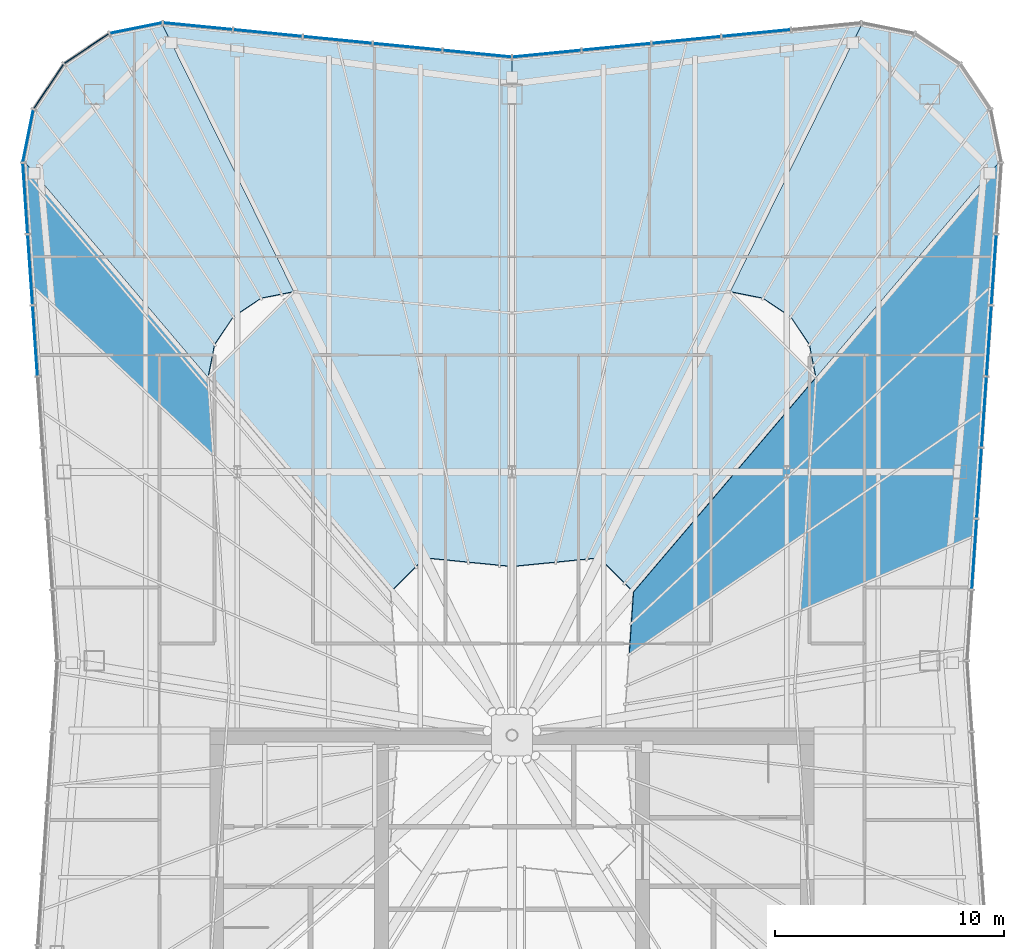
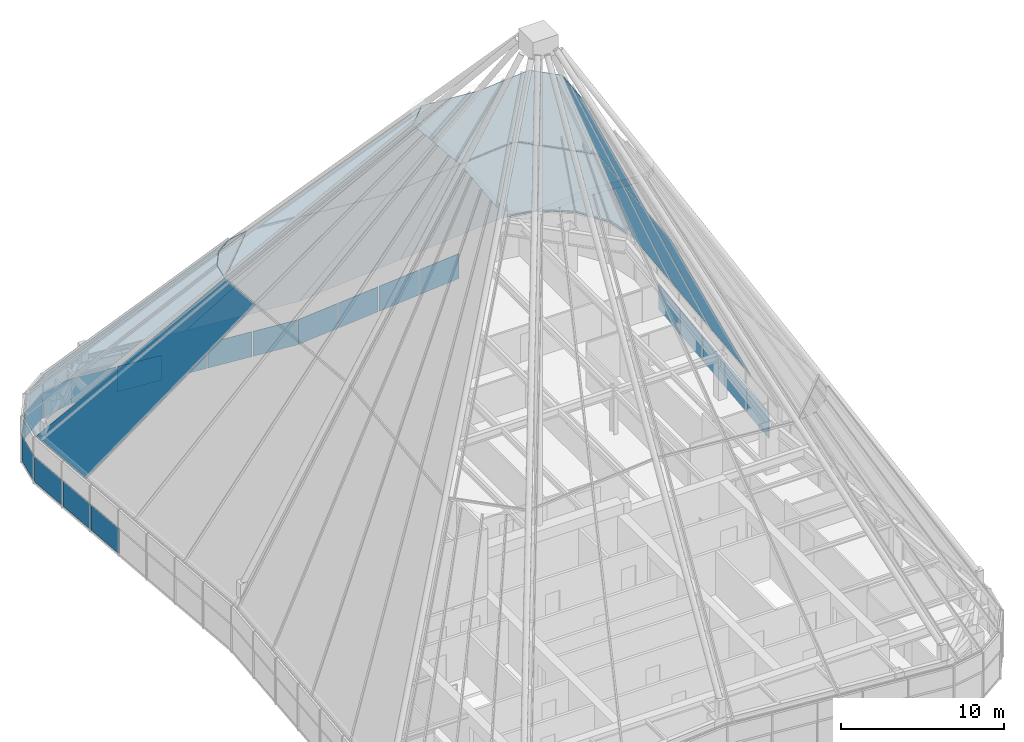
# One storey, part 21 of 28: 45 plates, 28 elements without a shape of their own.
"""IFC4 building model written with IfcOpenShell, lengths in metres."""

from ifc_helpers import new_model, si_unit, direction, frame, origin, origin_2d, place, context, subcontext, project, spatial, polyline, rectangle, outline, extrude, material, layer, layer_set, type_object, element, aggregate, save


model = new_model("IFC4")

# Units and contexts
model_context = context("Model", 3, precision=1e-05, world=origin(), true_north=direction((0.0, 1.0)))
body_context = subcontext(model_context, "Body", "Model", "MODEL_VIEW")
ifc_project = project(units=[si_unit("LENGTHUNIT", "METRE"), si_unit("AREAUNIT", "SQUARE_METRE"), si_unit("VOLUMEUNIT", "CUBIC_METRE"), si_unit("PLANEANGLEUNIT", "RADIAN"), si_unit("MASSUNIT", "GRAM", prefix="KILO")], contexts=[model_context])

# Site, building, storey
site_placement = place(None, origin())
site = spatial("IfcSite", under=ifc_project, at=site_placement, CompositionType="ELEMENT")
building_placement = place(site_placement, origin())
building = spatial("IfcBuilding", under=site, at=building_placement, Name="Verdant Reach Tower", CompositionType="ELEMENT")
storey_placement = place(building_placement, frame((0.0, 0.0, 368.0)))
storey = spatial("IfcBuildingStorey", under=building, at=storey_placement, Name="L83 Crown plant", CompositionType="ELEMENT", Elevation=368.0)

# Curtain wall, plate
ifc_material_1 = material(Name="Anodised aluminium", Category="aluminium")
curtain_wall_type_1 = type_object("IfcCurtainWallType", Name="EN-CW SYSTEM CROWN APEX", PredefinedType="NOTDEFINED", material=ifc_material_1)
curtain_wall_1_placement = place(storey_placement, origin())
curtain_wall_1 = element("IfcCurtainWall", 1, at=curtain_wall_1_placement, inside=storey, type_object=curtain_wall_type_1, Name="Crown glazing unit east face part 2 2, level 01", PredefinedType="NOTDEFINED")
ifc_material_2 = material(Name="Tinted glass", Category="glass")
ifc_layer_1 = layer(ifc_material_2, 0.030029296875)
ifc_layer_set_1 = layer_set([ifc_layer_1], Name="EN-PANEL CROWN TINTED")
plate_type_1 = type_object("IfcPlateType", Name="EN-PANEL CROWN TINTED", PredefinedType="CURTAIN_PANEL", material=ifc_layer_set_1)
plate_1_placement = place(storey_placement, frame((20.125, 46.6875, 3.14990234375), z_axis=(0.894449461564, -0.061686169763, 0.442893866709), x_axis=(0.068802091615, 0.997630328423, 0.0)))
plate_1 = element("IfcPlate", 2, at=plate_1_placement, type_object=plate_type_1, Name="Crown glass facet east face part 2 2, level 01", PredefinedType="CURTAIN_PANEL", context=body_context, shape_type="SweptSolid", body=[
    extrude(outline(polyline([(0.0, 0.0), (5.450415695155737, 2.7755575615628914e-17), (-0.36282353000297063, 16.493448249830344), (-3.7693333394753066, 16.493448249830344), (0.0, 0.0)])), origin(), (0.0, 0.0, -1.0), 0.030029296875),
])
aggregate(curtain_wall_1, [plate_1])

curtain_wall_2_placement = place(storey_placement, origin())
curtain_wall_2 = element("IfcCurtainWall", 3, at=curtain_wall_2_placement, inside=storey, type_object=curtain_wall_type_1, Name="Crown glazing unit east face part 2 3, level 01", PredefinedType="NOTDEFINED")
plate_2_placement = place(storey_placement, frame((20.5, 52.125, 3.14990234375), z_axis=(0.894449461564, -0.061686169763, 0.442893866709), x_axis=(0.068802091615, 0.997630328423, 0.0)))
plate_2 = element("IfcPlate", 4, at=plate_2_placement, type_object=plate_type_1, Name="Crown glass facet east face part 2 3, level 01", PredefinedType="CURTAIN_PANEL", context=body_context, shape_type="SweptSolid", body=[
    extrude(outline(polyline([(0.0, 0.0), (5.450415695155737, 2.7755575615628914e-17), (-2.4067294156863723, 16.493448249830344), (-5.813239225158709, 16.493448249830344), (0.0, 0.0)])), origin(), (0.0, 0.0, -1.0), 0.030029296875),
])
aggregate(curtain_wall_2, [plate_2])

curtain_wall_3_placement = place(storey_placement, origin())
curtain_wall_3 = element("IfcCurtainWall", 5, at=curtain_wall_3_placement, inside=storey, type_object=curtain_wall_type_1, Name="Crown glazing unit east face part 2 4, level 01", PredefinedType="NOTDEFINED")
plate_3_placement = place(storey_placement, frame((20.875, 57.5625, 3.14990234375), z_axis=(0.894449461564, -0.061686169763, 0.442893866709), x_axis=(0.068802091615, 0.997630328423, 0.0)))
plate_3 = element("IfcPlate", 6, at=plate_3_placement, type_object=plate_type_1, Name="Crown glass facet east face part 2 4, level 01", PredefinedType="CURTAIN_PANEL", context=body_context, shape_type="SweptSolid", body=[
    extrude(outline(polyline([(0.0, 0.0), (5.450415695155737, 2.7755575615628914e-17), (-4.450635301369774, 16.493448249830344), (-7.85714511084211, 16.493448249830344), (0.0, 0.0)])), origin(), (0.0, 0.0, -1.0), 0.030029296875),
])
aggregate(curtain_wall_3, [plate_3])

curtain_wall_4_placement = place(storey_placement, origin())
curtain_wall_4 = element("IfcCurtainWall", 7, at=curtain_wall_4_placement, inside=storey, type_object=curtain_wall_type_1, Name="Crown glazing unit north-east corner 1, level 01", PredefinedType="NOTDEFINED")
plate_4_placement = place(storey_placement, frame((21.25, 63.0, 3.14990234375), z_axis=(0.82150376001, 0.163408455829, 0.546286782609), x_axis=(-0.195098148355, 0.980783723563, 1.0083852e-05)))
plate_4 = element("IfcPlate", 8, at=plate_4_placement, type_object=plate_type_1, Name="Crown glass facet north-east corner 1, level 01", PredefinedType="CURTAIN_PANEL", context=body_context, shape_type="SweptSolid", body=[
    extrude(outline(polyline([(0.0, 0.0), (2.3411375868372555, -2.7755575615628914e-17), (-6.176846723888611, 17.654837218123966), (-7.640009922749035, 17.654883018135784), (0.0, 0.0)])), origin(), (0.0, 0.0, -1.0), 0.030029296875),
])
aggregate(curtain_wall_4, [plate_4])

curtain_wall_5_placement = place(storey_placement, origin())
curtain_wall_5 = element("IfcCurtainWall", 9, at=curtain_wall_5_placement, inside=storey, type_object=curtain_wall_type_1, Name="Crown glazing unit north-east corner 2, level 01", PredefinedType="NOTDEFINED")
plate_5_placement = place(storey_placement, frame((20.793212890625, 65.296142578125, 3.14990234375), z_axis=(0.642000510907, 0.428974870556, 0.635465108741), x_axis=(-0.555560980028, 0.831475794672, -1.8550777e-05)))
plate_5 = element("IfcPlate", 10, at=plate_5_placement, type_object=plate_type_1, Name="Crown glass facet north-east corner 2, level 01", PredefinedType="CURTAIN_PANEL", context=body_context, shape_type="SweptSolid", body=[
    extrude(outline(polyline([(0.0, 0.0), (2.3410229129718436, 1.1102230246251565e-16), (-2.7162208826397563, 19.151639265593303), (-4.179419600497692, 19.151547867376152), (0.0, 0.0)])), origin(), (0.0, 0.0, -1.0), 0.030029296875),
])
aggregate(curtain_wall_5, [plate_5])

curtain_wall_6_placement = place(storey_placement, origin())
curtain_wall_6 = element("IfcCurtainWall", 11, at=curtain_wall_6_placement, inside=storey, type_object=curtain_wall_type_1, Name="Crown glazing unit north-east corner 3, level 01", PredefinedType="NOTDEFINED")
plate_6_placement = place(storey_placement, frame((19.49267578125, 67.24267578125, 3.14990234375), z_axis=(0.414760869449, 0.620727945545, 0.66533468179), x_axis=(-0.831476610783, 0.555559758593, 1.8779174e-05)))
plate_6 = element("IfcPlate", 12, at=plate_6_placement, type_object=plate_type_1, Name="Crown glass facet north-east corner 3, level 01", PredefinedType="CURTAIN_PANEL", context=body_context, shape_type="SweptSolid", body=[
    extrude(outline(polyline([(0.0, 0.0), (2.341022913036853, -2.220446049250313e-16), (1.4491120431918507, 19.808003733273566), (-0.014086674495433238, 19.808099427597114), (0.0, 0.0)])), origin(), (0.0, 0.0, -1.0), 0.030029296875),
])
aggregate(curtain_wall_6, [plate_6])

curtain_wall_7_placement = place(storey_placement, origin())
curtain_wall_7 = element("IfcCurtainWall", 13, at=curtain_wall_7_placement, inside=storey, type_object=curtain_wall_type_1, Name="Crown glazing unit north-east corner 4, level 01", PredefinedType="NOTDEFINED")
plate_7_placement = place(storey_placement, frame((17.546142578125, 68.543212890625, 3.14990234375), z_axis=(0.148907125054, 0.748601181646, 0.646082764781), x_axis=(-0.980783211932, 0.195100720331, -1.0867631e-05)))
plate_7 = element("IfcPlate", 14, at=plate_7_placement, type_object=plate_type_1, Name="Crown glass facet north-east corner 4, level 01", PredefinedType="CURTAIN_PANEL", context=body_context, shape_type="SweptSolid", body=[
    extrude(outline(polyline([(0.0, 0.0), (2.3411375869049045, 5.551115123125783e-17), (5.6817850001388965, 19.374154068359545), (4.218621801456051, 19.37409990157535), (0.0, 0.0)])), origin(), (0.0, 0.0, -1.0), 0.030029296875),
])
aggregate(curtain_wall_7, [plate_7])

curtain_wall_8_placement = place(storey_placement, origin())
curtain_wall_8 = element("IfcCurtainWall", 15, at=curtain_wall_8_placement, inside=storey, type_object=curtain_wall_type_1, Name="Crown glazing unit north face part 1 1, level 01", PredefinedType="NOTDEFINED")
plate_8_placement = place(storey_placement, frame((15.25, 69.0, 3.14990234375), z_axis=(-0.078517401725, 0.798260250868, 0.597172997975), x_axis=(-0.995197410875, -0.097888269922, 0.0)))
plate_8 = element("IfcPlate", 16, at=plate_8_placement, type_object=plate_type_1, Name="Crown glass facet north face part 1 1, level 01", PredefinedType="CURTAIN_PANEL", context=body_context, shape_type="SweptSolid", body=[
    extrude(outline(polyline([(0.0, 0.0), (7.661796460360978, -5.551115123125783e-17), (11.617859119009568, 18.43581574373919), (6.829236331283956, 18.43581574373919), (0.0, 0.0)])), origin(), (0.0, 0.0, -1.0), 0.030029296875),
])
aggregate(curtain_wall_8, [plate_8])

curtain_wall_9_placement = place(storey_placement, origin())
curtain_wall_9 = element("IfcCurtainWall", 17, at=curtain_wall_9_placement, inside=storey, type_object=curtain_wall_type_1, Name="Crown glazing unit north face part 1 2, level 01", PredefinedType="NOTDEFINED")
plate_9_placement = place(storey_placement, frame((7.625, 68.25, 3.14990234375), z_axis=(-0.078517401725, 0.798260250868, 0.597172997975), x_axis=(-0.995197410875, -0.097888269922, 0.0)))
plate_9 = element("IfcPlate", 18, at=plate_9_placement, type_object=plate_type_1, Name="Crown glass facet north face part 1 2, level 01", PredefinedType="CURTAIN_PANEL", context=body_context, shape_type="SweptSolid", body=[
    extrude(outline(polyline([(0.0, 0.0), (7.661796460360978, -5.551115123125783e-17), (8.7446854463742, 18.43581574373919), (3.956062658648589, 18.43581574373919), (0.0, 0.0)])), origin(), (0.0, 0.0, -1.0), 0.030029296875),
])
aggregate(curtain_wall_9, [plate_9])

curtain_wall_10_placement = place(storey_placement, origin())
curtain_wall_10 = element("IfcCurtainWall", 19, at=curtain_wall_10_placement, inside=storey, type_object=curtain_wall_type_1, Name="Crown glazing unit north face part 2 1, level 01", PredefinedType="NOTDEFINED")
plate_10_placement = place(storey_placement, frame((0.0, 67.5, 3.14990234375), z_axis=(0.078517401725, 0.798260250868, 0.597172997975), x_axis=(-0.995197410875, 0.097888269922, 0.0)))
plate_10 = element("IfcPlate", 20, at=plate_10_placement, type_object=plate_type_1, Name="Crown glass facet north face part 2 1, level 01", PredefinedType="CURTAIN_PANEL", context=body_context, shape_type="SweptSolid", body=[
    extrude(outline(polyline([(0.0, 0.0), (7.661796460360978, 5.551115123125783e-17), (3.7057338017123884, 18.43581574373919), (-1.0828889860132234, 18.43581574373919), (0.0, 0.0)])), origin(), (0.0, 0.0, -1.0), 0.030029296875),
])
aggregate(curtain_wall_10, [plate_10])

curtain_wall_11_placement = place(storey_placement, origin())
curtain_wall_11 = element("IfcCurtainWall", 21, at=curtain_wall_11_placement, inside=storey, type_object=curtain_wall_type_1, Name="Crown glazing unit north face part 2 2, level 01", PredefinedType="NOTDEFINED")
plate_11_placement = place(storey_placement, frame((-7.625, 68.25, 3.14990234375), z_axis=(0.078517401725, 0.798260250868, 0.597172997975), x_axis=(-0.995197410875, 0.097888269922, 0.0)))
plate_11 = element("IfcPlate", 22, at=plate_11_placement, type_object=plate_type_1, Name="Crown glass facet north face part 2 2, level 01", PredefinedType="CURTAIN_PANEL", context=body_context, shape_type="SweptSolid", body=[
    extrude(outline(polyline([(0.0, 0.0), (7.661796460360978, 5.551115123125783e-17), (0.8325601290770211, 18.43581574373919), (-3.956062658648589, 18.43581574373919), (0.0, 0.0)])), origin(), (0.0, 0.0, -1.0), 0.030029296875),
])
aggregate(curtain_wall_11, [plate_11])

curtain_wall_12_placement = place(storey_placement, origin())
curtain_wall_12 = element("IfcCurtainWall", 23, at=curtain_wall_12_placement, inside=storey, type_object=curtain_wall_type_1, Name="Crown glazing unit north-west corner 1, level 01", PredefinedType="NOTDEFINED")
plate_12_placement = place(storey_placement, frame((-15.25, 69.0, 3.14990234375), z_axis=(-0.148907125054, 0.748601181646, 0.646082764781), x_axis=(-0.980783211932, -0.195100720331, 1.0867631e-05)))
plate_12 = element("IfcPlate", 24, at=plate_12_placement, type_object=plate_type_1, Name="Crown glass facet north-west corner 1, level 01", PredefinedType="CURTAIN_PANEL", context=body_context, shape_type="SweptSolid", body=[
    extrude(outline(polyline([(0.0, 0.0), (2.3411375869049045, -5.551115123125783e-17), (-1.8774842145511443, 19.37409990157535), (-3.3406474132339916, 19.374154068359545), (0.0, 0.0)])), origin(), (0.0, 0.0, -1.0), 0.030029296875),
])
aggregate(curtain_wall_12, [plate_12])

curtain_wall_13_placement = place(storey_placement, origin())
curtain_wall_13 = element("IfcCurtainWall", 25, at=curtain_wall_13_placement, inside=storey, type_object=curtain_wall_type_1, Name="Crown glazing unit north-west corner 2, level 01", PredefinedType="NOTDEFINED")
plate_13_placement = place(storey_placement, frame((-17.546142578125, 68.543212890625, 3.14990234375), z_axis=(-0.414760869449, 0.620727945545, 0.66533468179), x_axis=(-0.831476610783, -0.555559758593, -1.8779174e-05)))
plate_13 = element("IfcPlate", 26, at=plate_13_placement, type_object=plate_type_1, Name="Crown glass facet north-west corner 2, level 01", PredefinedType="CURTAIN_PANEL", context=body_context, shape_type="SweptSolid", body=[
    extrude(outline(polyline([(0.0, 0.0), (2.341022913036853, 2.220446049250313e-16), (2.355109587532285, 19.808099427597114), (0.8919108698450012, 19.808003733273566), (0.0, 0.0)])), origin(), (0.0, 0.0, -1.0), 0.030029296875),
])
aggregate(curtain_wall_13, [plate_13])

curtain_wall_14_placement = place(storey_placement, origin())
curtain_wall_14 = element("IfcCurtainWall", 27, at=curtain_wall_14_placement, inside=storey, type_object=curtain_wall_type_1, Name="Crown glazing unit north-west corner 3, level 01", PredefinedType="NOTDEFINED")
plate_14_placement = place(storey_placement, frame((-19.49267578125, 67.24267578125, 3.14990234375), z_axis=(-0.642000510907, 0.428974870556, 0.635465108741), x_axis=(-0.555560980028, -0.831475794672, 1.8550777e-05)))
plate_14 = element("IfcPlate", 28, at=plate_14_placement, type_object=plate_type_1, Name="Crown glass facet north-west corner 3, level 01", PredefinedType="CURTAIN_PANEL", context=body_context, shape_type="SweptSolid", body=[
    extrude(outline(polyline([(0.0, 0.0), (2.3410229129718436, -1.1102230246251565e-16), (6.520442513469535, 19.151547867376156), (5.057243795611601, 19.151639265593303), (0.0, 0.0)])), origin(), (0.0, 0.0, -1.0), 0.030029296875),
])
aggregate(curtain_wall_14, [plate_14])

curtain_wall_15_placement = place(storey_placement, origin())
curtain_wall_15 = element("IfcCurtainWall", 29, at=curtain_wall_15_placement, inside=storey, type_object=curtain_wall_type_1, Name="Crown glazing unit north-west corner 4, level 01", PredefinedType="NOTDEFINED")
plate_15_placement = place(storey_placement, frame((-20.793212890625, 65.296142578125, 3.14990234375), z_axis=(-0.82150376001, 0.163408455829, 0.546286782609), x_axis=(-0.195098148355, -0.980783723563, -1.0083852e-05)))
plate_15 = element("IfcPlate", 30, at=plate_15_placement, type_object=plate_type_1, Name="Crown glass facet north-west corner 4, level 01", PredefinedType="CURTAIN_PANEL", context=body_context, shape_type="SweptSolid", body=[
    extrude(outline(polyline([(0.0, 0.0), (2.3411375868372555, 2.7755575615628914e-17), (9.98114750958629, 17.654883018135784), (8.517984310725867, 17.654837218123966), (0.0, 0.0)])), origin(), (0.0, 0.0, -1.0), 0.030029296875),
])
aggregate(curtain_wall_15, [plate_15])

curtain_wall_16_placement = place(storey_placement, origin())
curtain_wall_16 = element("IfcCurtainWall", 31, at=curtain_wall_16_placement, inside=storey, type_object=curtain_wall_type_1, Name="Crown glazing unit west face part 1 1, level 01", PredefinedType="NOTDEFINED")
plate_16_placement = place(storey_placement, frame((-21.25, 63.0, 3.14990234375), z_axis=(-0.894449461564, -0.061686169763, 0.442893866709), x_axis=(0.068802091615, -0.997630328423, 0.0)))
plate_16 = element("IfcPlate", 32, at=plate_16_placement, type_object=plate_type_1, Name="Crown glass facet west face part 1 1, level 01", PredefinedType="CURTAIN_PANEL", context=body_context, shape_type="SweptSolid", body=[
    extrude(outline(polyline([(0.0, 0.0), (5.450415695155737, -2.7755575615628914e-17), (13.307560805997847, 16.493448249830344), (9.901050996525512, 16.493448249830344), (0.0, 0.0)])), origin(), (0.0, 0.0, -1.0), 0.030029296875),
])
aggregate(curtain_wall_16, [plate_16])

curtain_wall_17_placement = place(storey_placement, origin())
curtain_wall_17 = element("IfcCurtainWall", 33, at=curtain_wall_17_placement, inside=storey, type_object=curtain_wall_type_1, Name="Crown glazing unit east face part 2 3, level 02", PredefinedType="NOTDEFINED")
plate_17_placement = place(storey_placement, frame((12.8125, 46.828125, 17.9375), z_axis=(0.890174188458, -0.061391323342, 0.451465413538), x_axis=(0.068802091615, 0.997630328423, 0.0)))
plate_17 = element("IfcPlate", 34, at=plate_17_placement, type_object=plate_type_1, Name="Crown glass facet east face part 2 3, level 02", PredefinedType="CURTAIN_PANEL", context=body_context, shape_type="SweptSolid", body=[
    extrude(outline(polyline([(0.0, 0.0), (3.406509809472336, 2.7755575615628914e-17), (-4.450635301369774, 16.180302746756663), (-5.813239225158709, 16.180302746756663), (0.0, 0.0)])), origin(), (0.0, 0.0, -1.0), 0.030029296875),
])
aggregate(curtain_wall_17, [plate_17])

curtain_wall_18_placement = place(storey_placement, origin())
curtain_wall_18 = element("IfcCurtainWall", 35, at=curtain_wall_18_placement, inside=storey, type_object=curtain_wall_type_1, Name="Crown glazing unit east face part 2 4, level 02", PredefinedType="NOTDEFINED")
plate_18_placement = place(storey_placement, frame((13.046875, 50.2265625, 17.9375), z_axis=(0.890174188458, -0.061391323342, 0.451465413538), x_axis=(0.068802091615, 0.997630328423, 0.0)))
plate_18 = element("IfcPlate", 36, at=plate_18_placement, type_object=plate_type_1, Name="Crown glass facet east face part 2 4, level 02", PredefinedType="CURTAIN_PANEL", context=body_context, shape_type="SweptSolid", body=[
    extrude(outline(polyline([(0.0, 0.0), (3.406509809472336, 2.7755575615628914e-17), (-6.4945411870531755, 16.180302746756663), (-7.85714511084211, 16.180302746756663), (0.0, 0.0)])), origin(), (0.0, 0.0, -1.0), 0.030029296875),
])
aggregate(curtain_wall_18, [plate_18])

curtain_wall_19_placement = place(storey_placement, origin())
curtain_wall_19 = element("IfcCurtainWall", 37, at=curtain_wall_19_placement, inside=storey, type_object=curtain_wall_type_1, Name="Crown glazing unit north-east corner 1, level 02", PredefinedType="NOTDEFINED")
plate_19_placement = place(storey_placement, frame((13.28125, 53.625, 17.9375), z_axis=(0.5389196396, 0.5389196396, 0.647403463156), x_axis=(-0.707106781187, 0.707106781187, 0.0)))
plate_19 = element("IfcPlate", 38, at=plate_19_placement, type_object=plate_type_1, Name="Crown glass facet north-east corner 1, level 02", PredefinedType="CURTAIN_PANEL", context=body_context, shape_type="SweptSolid", body=[
    extrude(outline(polyline([(0.0, 0.0), (5.303300858899107, 0.0), (1.1269514325160603, 18.943184481001342), (-0.9943689110435825, 18.943184481001342), (0.0, 0.0)])), origin(), (0.0, 0.0, -1.0), 0.030029296875),
])
aggregate(curtain_wall_19, [plate_19])

curtain_wall_20_placement = place(storey_placement, origin())
curtain_wall_20 = element("IfcCurtainWall", 39, at=curtain_wall_20_placement, inside=storey, type_object=curtain_wall_type_1, Name="Crown glazing unit north face part 1 1, level 02", PredefinedType="NOTDEFINED")
plate_20_placement = place(storey_placement, frame((9.53125, 57.375, 17.9375), z_axis=(-0.077839071865, 0.791363897289, 0.606369739481), x_axis=(-0.995197410875, -0.097888269922, 0.0)))
plate_20 = element("IfcPlate", 40, at=plate_20_placement, type_object=plate_type_1, Name="Crown glass facet north face part 1 1, level 02", PredefinedType="CURTAIN_PANEL", context=body_context, shape_type="SweptSolid", body=[
    extrude(outline(polyline([(0.0, 0.0), (4.788622787725611, 5.551115123125783e-17), (8.7446854463742, 18.156201803900817), (6.829236331283956, 18.156201803900817), (0.0, 0.0)])), origin(), (0.0, 0.0, -1.0), 0.030029296875),
])
aggregate(curtain_wall_20, [plate_20])

curtain_wall_21_placement = place(storey_placement, origin())
curtain_wall_21 = element("IfcCurtainWall", 41, at=curtain_wall_21_placement, inside=storey, type_object=curtain_wall_type_1, Name="Crown glazing unit north face part 1 2, level 02", PredefinedType="NOTDEFINED")
plate_21_placement = place(storey_placement, frame((4.765625, 56.90625, 17.9375), z_axis=(-0.077839071865, 0.791363897289, 0.606369739481), x_axis=(-0.995197410875, -0.097888269922, 0.0)))
plate_21 = element("IfcPlate", 42, at=plate_21_placement, type_object=plate_type_1, Name="Crown glass facet north face part 1 2, level 02", PredefinedType="CURTAIN_PANEL", context=body_context, shape_type="SweptSolid", body=[
    extrude(outline(polyline([(0.0, 0.0), (4.788622787725611, 5.551115123125783e-17), (5.871511773738835, 18.156201803900817), (3.956062658648589, 18.15620180390082), (0.0, 0.0)])), origin(), (0.0, 0.0, -1.0), 0.030029296875),
])
aggregate(curtain_wall_21, [plate_21])

curtain_wall_22_placement = place(storey_placement, origin())
curtain_wall_22 = element("IfcCurtainWall", 43, at=curtain_wall_22_placement, inside=storey, type_object=curtain_wall_type_1, Name="Crown glazing unit north face part 2 1, level 02", PredefinedType="NOTDEFINED")
plate_22_placement = place(storey_placement, frame((0.0, 56.4375, 17.9375), z_axis=(0.077839071865, 0.791363897289, 0.606369739481), x_axis=(-0.995197410875, 0.097888269922, 0.0)))
plate_22 = element("IfcPlate", 44, at=plate_22_placement, type_object=plate_type_1, Name="Crown glass facet north face part 2 1, level 02", PredefinedType="CURTAIN_PANEL", context=body_context, shape_type="SweptSolid", body=[
    extrude(outline(polyline([(0.0, 0.0), (4.788622787725611, -5.551115123125783e-17), (0.8325601290770213, 18.15620180390082), (-1.0828889860132231, 18.156201803900817), (0.0, 0.0)])), origin(), (0.0, 0.0, -1.0), 0.030029296875),
])
aggregate(curtain_wall_22, [plate_22])

curtain_wall_23_placement = place(storey_placement, origin())
curtain_wall_23 = element("IfcCurtainWall", 45, at=curtain_wall_23_placement, inside=storey, type_object=curtain_wall_type_1, Name="Crown glazing unit north face part 2 2, level 02", PredefinedType="NOTDEFINED")
plate_23_placement = place(storey_placement, frame((-4.765625, 56.90625, 17.9375), z_axis=(0.077839071865, 0.791363897289, 0.606369739481), x_axis=(-0.995197410875, 0.097888269922, 0.0)))
plate_23 = element("IfcPlate", 46, at=plate_23_placement, type_object=plate_type_1, Name="Crown glass facet north face part 2 2, level 02", PredefinedType="CURTAIN_PANEL", context=body_context, shape_type="SweptSolid", body=[
    extrude(outline(polyline([(0.0, 0.0), (4.788622787725611, -5.551115123125783e-17), (-2.040613543558345, 18.156201803900817), (-3.956062658648589, 18.15620180390082), (0.0, 0.0)])), origin(), (0.0, 0.0, -1.0), 0.030029296875),
])
aggregate(curtain_wall_23, [plate_23])

curtain_wall_24_placement = place(storey_placement, origin())
curtain_wall_24 = element("IfcCurtainWall", 47, at=curtain_wall_24_placement, inside=storey, type_object=curtain_wall_type_1, Name="Crown glazing unit north-west corner 1, level 02", PredefinedType="NOTDEFINED")
plate_24_placement = place(storey_placement, frame((-9.53125, 57.375, 17.9375), z_axis=(-0.5389196396, 0.5389196396, 0.647403463156), x_axis=(-0.707106781187, -0.707106781187, 0.0)))
plate_24 = element("IfcPlate", 48, at=plate_24_placement, type_object=plate_type_1, Name="Crown glass facet north-west corner 1, level 02", PredefinedType="CURTAIN_PANEL", context=body_context, shape_type="SweptSolid", body=[
    extrude(outline(polyline([(0.0, 0.0), (5.303300858899107, 0.0), (6.297669769942689, 18.943184481001342), (4.176349426383046, 18.94318448100134), (0.0, 0.0)])), origin(), (0.0, 0.0, -1.0), 0.030029296875),
])
aggregate(curtain_wall_24, [plate_24])

# Curtain wall, plates
curtain_wall_type_2 = type_object("IfcCurtainWallType", Name="EN-CW SYSTEM PLANT", PredefinedType="NOTDEFINED", material=ifc_material_1)
curtain_wall_25_placement = place(storey_placement, origin())
curtain_wall_25 = element("IfcCurtainWall", 49, at=curtain_wall_25_placement, inside=storey, type_object=curtain_wall_type_2, Name="Curtain wall east, L83", PredefinedType="NOTDEFINED")
ifc_material_3 = material(Name="Bronze anodised aluminium solid panel", Category="aluminium")
ifc_layer_2 = layer(ifc_material_3, 0.0400390625)
ifc_layer_set_2 = layer_set([ifc_layer_2], Name="EN-PANEL SOLID")
plate_type_2 = type_object("IfcPlateType", Name="EN-PANEL SOLID", PredefinedType="CURTAIN_PANEL", material=ifc_layer_set_2)
plate_25_placement = place(storey_placement, frame((20.190185546875, 45.902587890625, -0.199951171875), z_axis=(0.0, 0.0, 1.0), x_axis=(0.068802091615, 0.997630328423, 0.0)))
plate_25 = element("IfcPlate", 50, at=plate_25_placement, type_object=plate_type_2, Name="Solid panel east face part 2 2.1, L83", PredefinedType="CURTAIN_PANEL", context=body_context, shape_type="SweptSolid", body=[
    extrude(rectangle(XDim=3.03857421875, YDim=0.0400390625, at=origin_2d()), origin(), (0.0, 0.0, 1.0), 1.875),
])
plate_26_placement = place(storey_placement, frame((20.404541015625, 49.009765625, -0.199951171875), z_axis=(0.0, 0.0, 1.0), x_axis=(0.068802091615, 0.997630328423, 0.0)))
plate_26 = element("IfcPlate", 51, at=plate_26_placement, type_object=plate_type_2, Name="Solid panel east face part 2 3.1, L83", PredefinedType="CURTAIN_PANEL", context=body_context, shape_type="SweptSolid", body=[
    extrude(rectangle(XDim=3.03857421875, YDim=0.0400390625, at=origin_2d()), origin(), (0.0, 0.0, 1.0), 1.875),
])
plate_27_placement = place(storey_placement, frame((20.61865234375, 52.11669921875, -0.199951171875), z_axis=(0.0, 0.0, 1.0), x_axis=(0.068802091615, 0.997630328423, 0.0)))
plate_27 = element("IfcPlate", 52, at=plate_27_placement, type_object=plate_type_2, Name="Solid panel east face part 2 4.1, L83", PredefinedType="CURTAIN_PANEL", context=body_context, shape_type="SweptSolid", body=[
    extrude(rectangle(XDim=3.03857421875, YDim=0.0400390625, at=origin_2d()), origin(), (0.0, 0.0, 1.0), 1.875),
])
plate_28_placement = place(storey_placement, frame((20.8330078125, 55.223876953125, -0.199951171875), z_axis=(0.0, 0.0, 1.0), x_axis=(0.068802091615, 0.997630328423, 0.0)))
plate_28 = element("IfcPlate", 53, at=plate_28_placement, type_object=plate_type_2, Name="Solid panel east face part 2 5.1, L83", PredefinedType="CURTAIN_PANEL", context=body_context, shape_type="SweptSolid", body=[
    extrude(rectangle(XDim=3.03857421875, YDim=0.0400390625, at=origin_2d()), origin(), (0.0, 0.0, 1.0), 1.875),
])
plate_29_placement = place(storey_placement, frame((21.04736328125, 58.3310546875, -0.199951171875), z_axis=(0.0, 0.0, 1.0), x_axis=(0.068802091615, 0.997630328423, 0.0)))
plate_29 = element("IfcPlate", 54, at=plate_29_placement, type_object=plate_type_2, Name="Solid panel east face part 2 6.1, L83", PredefinedType="CURTAIN_PANEL", context=body_context, shape_type="SweptSolid", body=[
    extrude(rectangle(XDim=3.03857421875, YDim=0.0400390625, at=origin_2d()), origin(), (0.0, 0.0, 1.0), 1.875),
])
aggregate(curtain_wall_25, [plate_25, plate_26, plate_27, plate_28, plate_29])

curtain_wall_26_placement = place(storey_placement, origin())
curtain_wall_26 = element("IfcCurtainWall", 55, at=curtain_wall_26_placement, inside=storey, type_object=curtain_wall_type_2, Name="Curtain wall north, L83", PredefinedType="NOTDEFINED")
plate_30_placement = place(storey_placement, frame((10.663330078125, 68.66845703125, -0.199951171875), z_axis=(0.0, 0.0, 1.0), x_axis=(-0.995197410875, -0.09788826992, 0.0)))
plate_30 = element("IfcPlate", 56, at=plate_30_placement, type_object=plate_type_2, Name="Solid panel north face part 1 2.1, L83", PredefinedType="CURTAIN_PANEL", context=body_context, shape_type="SweptSolid", body=[
    extrude(rectangle(XDim=2.98876953125, YDim=0.0400390625, at=origin_2d()), origin(), (0.0, 0.0, 1.0), 1.875),
])
plate_31_placement = place(storey_placement, frame((7.61328125, 68.368408203125, -0.199951171875), z_axis=(0.0, 0.0, 1.0), x_axis=(-0.995197410875, -0.09788826992, 0.0)))
plate_31 = element("IfcPlate", 57, at=plate_31_placement, type_object=plate_type_2, Name="Solid panel north face part 1 3.1, L83", PredefinedType="CURTAIN_PANEL", context=body_context, shape_type="SweptSolid", body=[
    extrude(rectangle(XDim=2.98876953125, YDim=0.0400390625, at=origin_2d()), origin(), (0.0, 0.0, 1.0), 1.875),
])
plate_32_placement = place(storey_placement, frame((4.563232421875, 68.068359375, -0.199951171875), z_axis=(0.0, 0.0, 1.0), x_axis=(-0.995197410875, -0.09788826992, 0.0)))
plate_32 = element("IfcPlate", 58, at=plate_32_placement, type_object=plate_type_2, Name="Solid panel north face part 1 4.1, L83", PredefinedType="CURTAIN_PANEL", context=body_context, shape_type="SweptSolid", body=[
    extrude(rectangle(XDim=2.98876953125, YDim=0.0400390625, at=origin_2d()), origin(), (0.0, 0.0, 1.0), 1.875),
])
plate_33_placement = place(storey_placement, frame((1.519287109375, 67.768798828125, -0.199951171875), z_axis=(0.0, 0.0, 1.0), x_axis=(-0.995179069607, -0.098074560493, 0.0)))
plate_33 = element("IfcPlate", 59, at=plate_33_placement, type_object=plate_type_2, Name="Solid panel north face part 1 5.1, L83", PredefinedType="CURTAIN_PANEL", context=body_context, shape_type="SweptSolid", body=[
    extrude(rectangle(XDim=2.97705078125, YDim=0.0400390625, at=origin_2d()), origin(), (0.0, 0.0, 1.0), 1.875),
])
plate_34_placement = place(storey_placement, frame((-1.519287109375, 67.768798828125, -0.199951171875), z_axis=(0.0, 0.0, 1.0), x_axis=(-0.995179069607, 0.098074560493, 0.0)))
plate_34 = element("IfcPlate", 60, at=plate_34_placement, type_object=plate_type_2, Name="Solid panel north face part 2 1.1, L83", PredefinedType="CURTAIN_PANEL", context=body_context, shape_type="SweptSolid", body=[
    extrude(rectangle(XDim=2.97705078125, YDim=0.0400390625, at=origin_2d()), origin(), (0.0, 0.0, 1.0), 1.875),
])
plate_35_placement = place(storey_placement, frame((-4.563232421875, 68.068359375, -0.199951171875), z_axis=(0.0, 0.0, 1.0), x_axis=(-0.995197410875, 0.09788826992, 0.0)))
plate_35 = element("IfcPlate", 61, at=plate_35_placement, type_object=plate_type_2, Name="Solid panel north face part 2 2.1, L83", PredefinedType="CURTAIN_PANEL", context=body_context, shape_type="SweptSolid", body=[
    extrude(rectangle(XDim=2.98876953125, YDim=0.0400390625, at=origin_2d()), origin(), (0.0, 0.0, 1.0), 1.875),
])
plate_36_placement = place(storey_placement, frame((-7.61328125, 68.368408203125, -0.199951171875), z_axis=(0.0, 0.0, 1.0), x_axis=(-0.995197410875, 0.09788826992, 0.0)))
plate_36 = element("IfcPlate", 62, at=plate_36_placement, type_object=plate_type_2, Name="Solid panel north face part 2 3.1, L83", PredefinedType="CURTAIN_PANEL", context=body_context, shape_type="SweptSolid", body=[
    extrude(rectangle(XDim=2.98876953125, YDim=0.0400390625, at=origin_2d()), origin(), (0.0, 0.0, 1.0), 1.875),
])
plate_37_placement = place(storey_placement, frame((-10.663330078125, 68.66845703125, -0.199951171875), z_axis=(0.0, 0.0, 1.0), x_axis=(-0.995197410875, 0.09788826992, 0.0)))
plate_37 = element("IfcPlate", 63, at=plate_37_placement, type_object=plate_type_2, Name="Solid panel north face part 2 4.1, L83", PredefinedType="CURTAIN_PANEL", context=body_context, shape_type="SweptSolid", body=[
    extrude(rectangle(XDim=2.98876953125, YDim=0.0400390625, at=origin_2d()), origin(), (0.0, 0.0, 1.0), 1.875),
])
plate_38_placement = place(storey_placement, frame((-13.72216796875, 68.96875, -0.199951171875), z_axis=(0.0, 0.0, 1.0), x_axis=(-0.995238191716, 0.097472774402, 0.0)))
plate_38 = element("IfcPlate", 64, at=plate_38_placement, type_object=plate_type_2, Name="Solid panel north face part 2 5.1, L83", PredefinedType="CURTAIN_PANEL", context=body_context, shape_type="SweptSolid", body=[
    extrude(rectangle(XDim=3.006103515625, YDim=0.0400390625, at=origin_2d()), origin(), (0.0, 0.0, 1.0), 1.875),
])
aggregate(curtain_wall_26, [plate_30, plate_31, plate_32, plate_33, plate_34, plate_35, plate_36, plate_37, plate_38])

curtain_wall_27_placement = place(storey_placement, origin())
curtain_wall_27 = element("IfcCurtainWall", 65, at=curtain_wall_27_placement, inside=storey, type_object=curtain_wall_type_2, Name="Curtain wall north-west corner, L83", PredefinedType="NOTDEFINED")
plate_39_placement = place(storey_placement, frame((-16.423828125, 68.885986328125, -0.199951171875), z_axis=(0.0, 0.0, 1.0), x_axis=(-0.980705120874, -0.195492879387, 0.0)))
plate_39 = element("IfcPlate", 66, at=plate_39_placement, type_object=plate_type_2, Name="Solid panel north-west corner 1.1, L83", PredefinedType="CURTAIN_PANEL", context=body_context, shape_type="SweptSolid", body=[
    extrude(rectangle(XDim=2.3056640625, YDim=0.0400390625, at=origin_2d()), origin(), (0.0, 0.0, 1.0), 1.875),
])
plate_40_placement = place(storey_placement, frame((-18.584228515625, 67.989990234375, -0.199951171875), z_axis=(0.0, 0.0, 1.0), x_axis=(-0.83145208321, -0.555596466265, 0.0)))
plate_40 = element("IfcPlate", 67, at=plate_40_placement, type_object=plate_type_2, Name="Solid panel north-west corner 2.1, L83", PredefinedType="CURTAIN_PANEL", context=body_context, shape_type="SweptSolid", body=[
    extrude(rectangle(XDim=2.3115234375, YDim=0.0400390625, at=origin_2d()), origin(), (0.0, 0.0, 1.0), 1.875),
])
plate_41_placement = place(storey_placement, frame((-20.239990234375, 66.334228515625, -0.199951171875), z_axis=(0.0, 0.0, 1.0), x_axis=(-0.555596466265, -0.83145208321, 0.0)))
plate_41 = element("IfcPlate", 68, at=plate_41_placement, type_object=plate_type_2, Name="Solid panel north-west corner 3.1, L83", PredefinedType="CURTAIN_PANEL", context=body_context, shape_type="SweptSolid", body=[
    extrude(rectangle(XDim=2.3115234375, YDim=0.0400390625, at=origin_2d()), origin(), (0.0, 0.0, 1.0), 1.875),
])
plate_42_placement = place(storey_placement, frame((-21.135986328125, 64.174560546875, -0.199951171875), z_axis=(0.0, 0.0, 1.0), x_axis=(-0.195592962334, -0.980685165119, 0.0)))
plate_42 = element("IfcPlate", 69, at=plate_42_placement, type_object=plate_type_2, Name="Solid panel north-west corner 4.1, L83", PredefinedType="CURTAIN_PANEL", context=body_context, shape_type="SweptSolid", body=[
    extrude(rectangle(XDim=2.303955078125, YDim=0.0400390625, at=origin_2d()), origin(), (0.0, 0.0, 1.0), 1.875),
])
aggregate(curtain_wall_27, [plate_39, plate_40, plate_41, plate_42])

curtain_wall_28_placement = place(storey_placement, origin())
curtain_wall_28 = element("IfcCurtainWall", 70, at=curtain_wall_28_placement, inside=storey, type_object=curtain_wall_type_2, Name="Curtain wall west, L83", PredefinedType="NOTDEFINED")
plate_43_placement = place(storey_placement, frame((-21.261474609375, 61.446044921875, -0.199951171875), z_axis=(0.0, 0.0, 1.0), x_axis=(0.068469163133, -0.997653233193, 0.0)))
plate_43 = element("IfcPlate", 71, at=plate_43_placement, type_object=plate_type_2, Name="Solid panel west face part 1 1.1, L83", PredefinedType="CURTAIN_PANEL", context=body_context, shape_type="SweptSolid", body=[
    extrude(rectangle(XDim=3.05419921875, YDim=0.0400390625, at=origin_2d()), origin(), (0.0, 0.0, 1.0), 1.875),
])
plate_44_placement = place(storey_placement, frame((-21.04736328125, 58.3310546875, -0.199951171875), z_axis=(0.0, 0.0, 1.0), x_axis=(0.068802091615, -0.997630328423, 0.0)))
plate_44 = element("IfcPlate", 72, at=plate_44_placement, type_object=plate_type_2, Name="Solid panel west face part 1 2.1, L83", PredefinedType="CURTAIN_PANEL", context=body_context, shape_type="SweptSolid", body=[
    extrude(rectangle(XDim=3.03857421875, YDim=0.0400390625, at=origin_2d()), origin(), (0.0, 0.0, 1.0), 1.875),
])
plate_45_placement = place(storey_placement, frame((-20.8330078125, 55.223876953125, -0.199951171875), z_axis=(0.0, 0.0, 1.0), x_axis=(0.068802091615, -0.997630328423, 0.0)))
plate_45 = element("IfcPlate", 73, at=plate_45_placement, type_object=plate_type_2, Name="Solid panel west face part 1 3.1, L83", PredefinedType="CURTAIN_PANEL", context=body_context, shape_type="SweptSolid", body=[
    extrude(rectangle(XDim=3.03857421875, YDim=0.0400390625, at=origin_2d()), origin(), (0.0, 0.0, 1.0), 1.875),
])
aggregate(curtain_wall_28, [plate_43, plate_44, plate_45])

save(model, "model.ifc")
